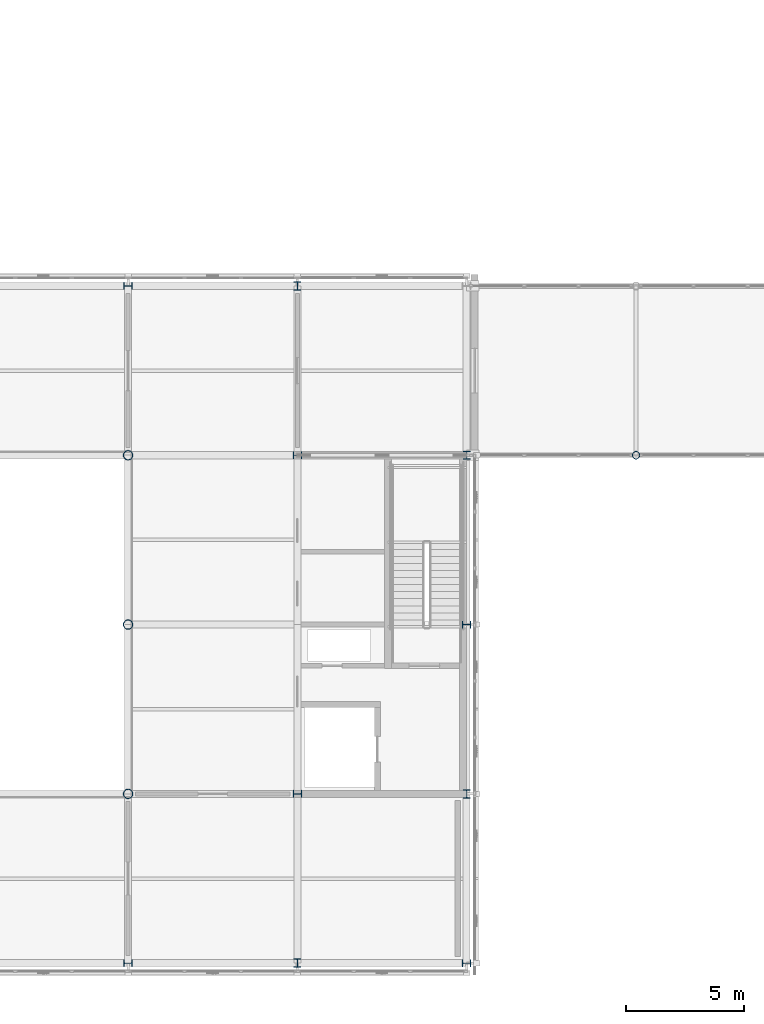
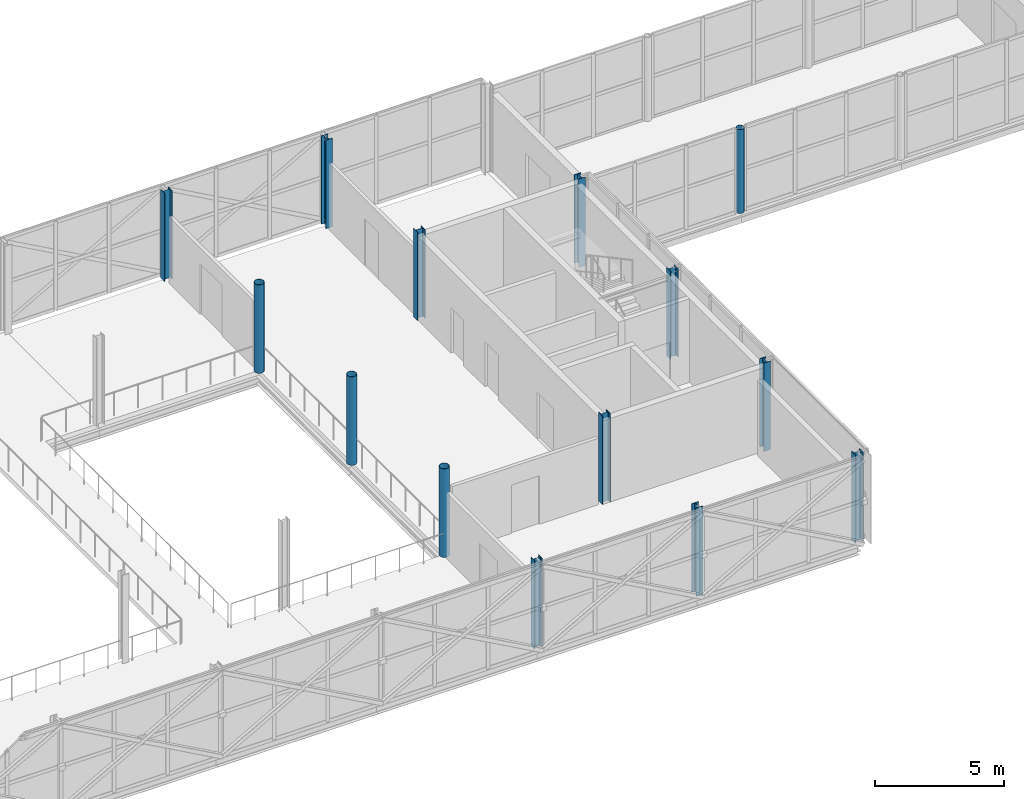
# One storey, part 6 of 126: 14 columns.
"""IFC4 building model written with IfcOpenShell, lengths in metres."""

from ifc_helpers import new_model, si_unit, direction, frame, origin, origin_2d, place, context, subcontext, project, spatial, hollow_circle, i_section, extrude, material, material_profile, profile_set, type_object, element, save


model = new_model("IFC4")

# Units and contexts
model_context = context("Model", 3, precision=1e-05, world=origin(), true_north=direction((0.0, 1.0)))
body_context = subcontext(model_context, "Body", "Model", "MODEL_VIEW")
ifc_project = project(units=[si_unit("LENGTHUNIT", "METRE"), si_unit("AREAUNIT", "SQUARE_METRE"), si_unit("VOLUMEUNIT", "CUBIC_METRE"), si_unit("PLANEANGLEUNIT", "RADIAN"), si_unit("MASSUNIT", "GRAM", prefix="KILO")], contexts=[model_context])

# Site, building, storey
site_placement = place(None, origin())
site = spatial("IfcSite", under=ifc_project, at=site_placement, CompositionType="ELEMENT")
building_placement = place(site_placement, origin())
building = spatial("IfcBuilding", under=site, at=building_placement, Name="Zlatovets Crest Museum", CompositionType="ELEMENT")
storey_placement = place(building_placement, frame((0.0, 0.0, 8.699951171875)))
storey = spatial("IfcBuildingStorey", under=building, at=storey_placement, Name="L02", CompositionType="ELEMENT", Elevation=8.699951171875)

# Columns
ifc_material = material(Name="Structural steel S355J2", Category="steel")
ifc_material_profile_1 = material_profile(ifc_material, i_section(OverallWidth=0.300048828125, OverallDepth=0.360107421875, WebThickness=0.012451171875, FlangeThickness=0.0224609375, FilletRadius=0.027099609375, at=origin_2d()), Name="HEB 360")
ifc_profile_set_1 = profile_set([ifc_material_profile_1], Name="Structural steel S355J2")
column_type_1 = type_object("IfcColumnType", Name="Col_C-08", PredefinedType="COLUMN", material=ifc_profile_set_1)
for number, where, z_axis, x_axis, name in (
    (1, (93.60009765625, 0.0, 0.0), (0.0, 0.0, 1.0), (0.0, 1.0, 0.0), "V2 L02 Column (93.6, 0.0)"),
    (2, (93.60009765625, 28.800048828125, 0.0), (0.0, 0.0, 1.0), (0.0, 1.0, 0.0), "V2 L02 Column (93.6, 28.8)"),
    (3, (100.800048828125, 0.0, 0.0), (0.0, 0.0, 1.0), (1.0, 0.0, 0.0), "V2 L02 Column (100.8, 0.0)"),
    (4, (100.800048828125, 7.199951171875, 0.0), (0.0, 0.0, 1.0), (0.0, 1.0, 0.0), "V2 L02 Column (100.8, 7.2)"),
    (5, (100.800048828125, 21.60009765625, 0.0), (0.0, 0.0, 1.0), (0.0, 1.0, 0.0), "V2 L02 Column (100.8, 21.6)"),
    (6, (100.800048828125, 28.800048828125, 0.0), (0.0, 0.0, 1.0), (1.0, 0.0, 0.0), "V2 L02 Column (100.8, 28.8)"),
    (7, (108.0, 0.0, 0.0), (0.0, 0.0, 1.0), (0.0, 1.0, 0.0), "V2 L02 Column (108.0, 0.0)"),
    (8, (108.0, 7.199951171875, 0.0), (0.0, 0.0, 1.0), (1.0, 0.0, 0.0), "V2 L02 Column (108.0, 7.2)"),
    (9, (108.0, 14.39990234375, 0.0), (0.0, 0.0, 1.0), (0.0, 1.0, 0.0), "V2 L02 Column (108.0, 14.4)"),
    (10, (108.0, 21.60009765625, 0.0), (0.0, 0.0, 1.0), (1.0, 0.0, 0.0), "V2 L02 Column (108.0, 21.6)"),
):
    element("IfcColumn", number, at=place(storey_placement, frame(where, z_axis=z_axis, x_axis=x_axis)), inside=storey, type_object=column_type_1, Name=name, PredefinedType="COLUMN", context=body_context, shape_type="SweptSolid", body=[
        extrude(i_section(OverallWidth=0.300048828125, OverallDepth=0.360107421875, WebThickness=0.012451171875, FlangeThickness=0.0224609375, FilletRadius=0.027099609375, at=origin_2d()), origin(), (0.0, 0.0, 1.0), 4.199951171875),
    ])
ifc_material_profile_2 = material_profile(ifc_material, hollow_circle(Radius=0.203125, WallThickness=0.01611328125, at=origin_2d()), Name="CHS 406.4x16.0")
ifc_profile_set_2 = profile_set([ifc_material_profile_2], Name="Structural steel S355J2")
column_type_2 = type_object("IfcColumnType", Name="Col_C-12", PredefinedType="COLUMN", material=ifc_profile_set_2)
for number, where, z_axis, x_axis, name in (
    (11, (93.60009765625, 7.199951171875, 0.0), (0.0, 0.0, 1.0), (1.0, 0.0, 0.0), "V2 L02 Column (93.6, 7.2)"),
    (12, (93.60009765625, 14.39990234375, 0.0), (0.0, 0.0, 1.0), (0.0, 1.0, 0.0), "V2 L02 Column (93.6, 14.4)"),
    (13, (93.60009765625, 21.60009765625, 0.0), (0.0, 0.0, 1.0), (1.0, 0.0, 0.0), "V2 L02 Column (93.6, 21.6)"),
):
    element("IfcColumn", number, at=place(storey_placement, frame(where, z_axis=z_axis, x_axis=x_axis)), inside=storey, type_object=column_type_2, Name=name, PredefinedType="COLUMN", context=body_context, shape_type="SweptSolid", body=[
        extrude(hollow_circle(Radius=0.203125, WallThickness=0.01611328125, at=origin_2d()), origin(), (0.0, 0.0, 1.0), 4.199951171875),
    ])
ifc_material_profile_3 = material_profile(ifc_material, hollow_circle(Radius=0.161865234375, WallThickness=0.012451171875, at=origin_2d()), Name="CHS 323.9x12.5")
ifc_profile_set_3 = profile_set([ifc_material_profile_3], Name="Structural steel S355J2")
column_type_3 = type_object("IfcColumnType", Name="Col_C-13", PredefinedType="COLUMN", material=ifc_profile_set_3)
column_placement = place(storey_placement, frame((115.199951171875, 21.60009765625, 0.0), z_axis=(0.0, 0.0, 1.0), x_axis=(1.0, 0.0, 0.0)))
element("IfcColumn", 14, at=column_placement, inside=storey, type_object=column_type_3, Name="Southeast Archive Glazed Link Bridge Portal Column", PredefinedType="COLUMN", context=body_context, shape_type="SweptSolid", body=[
    extrude(hollow_circle(Radius=0.161865234375, WallThickness=0.012451171875, at=origin_2d()), origin(), (0.0, 0.0, 1.0), 3.97998046875),
])

save(model, "model.ifc")
